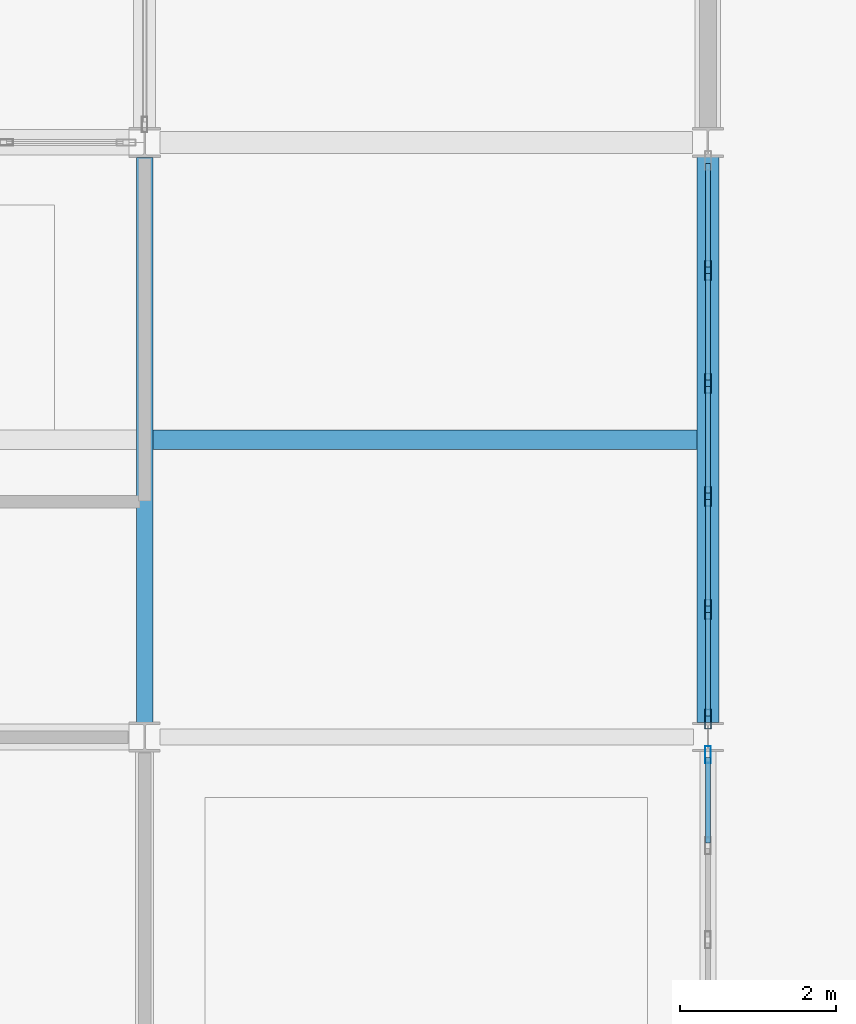
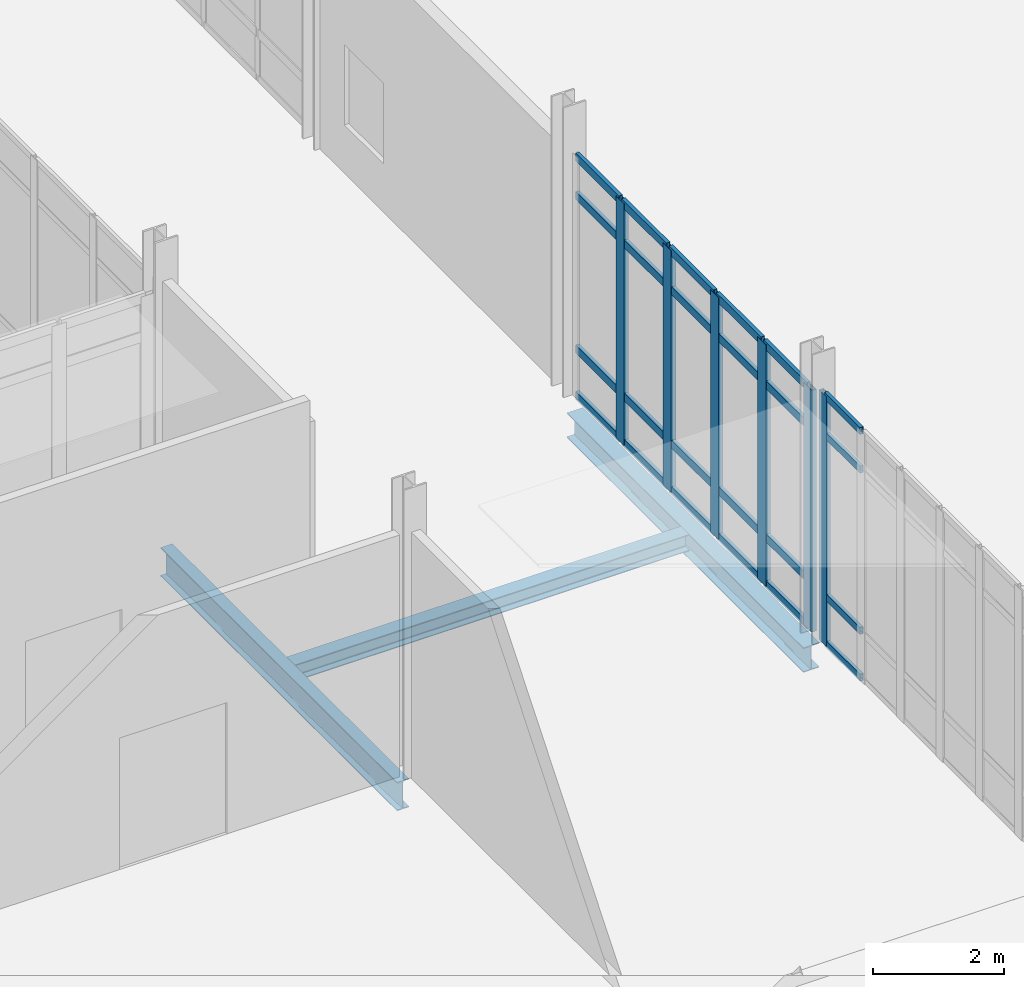
# One storey, part 65 of 229: 30 members, 3 beams, 2 elements without a shape of their own.
"""IFC4 building model written with IfcOpenShell, lengths in metres."""

import ifcopenshell
import ifcopenshell.guid

model = None  # the IFC model being written
_history = None  # IfcOwnerHistory: only IFC2X3 demands one
_inside = {}  # id of a spatial element -> (the spatial element, [elements in it])
_under = {}  # id of a project, library or spatial element -> (it, [spatial elements below it])
_declared = {}  # id of a project -> (the project, [libraries it declares])
_typed = {}  # id of a type object -> (the type object, [elements of that type])
_made_of = {}  # id of a material, layer set ... -> (it, [elements and type objects made of it])


def new_model(schema):
    """Start an empty IFC model of exactly this schema.

    Asked for "IFC4X3", IfcOpenShell would pick the latest addendum, in which some entities
    have other attributes; the version numbers below select the first issue.
    IFC2X3 requires an IfcOwnerHistory on every rooted entity: one is made here for all.
    """
    global model, _history
    if schema == "IFC4X3":
        model = ifcopenshell.file(schema_version=(4, 3, 0, 0))
    else:
        model = ifcopenshell.file(schema=schema)
    _inside.clear()
    _under.clear()
    _declared.clear()
    _typed.clear()
    _made_of.clear()
    _history = None
    if model.schema == "IFC2X3":
        org = make("IfcOrganization", Name="unknown")
        user = make(
            "IfcPersonAndOrganization",
            ThePerson=make("IfcPerson", FamilyName="unknown"),
            TheOrganization=org,
        )
        app = make(
            "IfcApplication",
            ApplicationDeveloper=org,
            Version="unknown",
            ApplicationFullName="unknown",
            ApplicationIdentifier="unknown",
        )
        _history = make(
            "IfcOwnerHistory",
            OwningUser=user,
            OwningApplication=app,
            ChangeAction="ADDED",
            CreationDate=0,
        )
    return model


def make(cls, **values):
    """One entity of the class cls with the attributes given. An attribute that is None is left unset."""
    return model.create_entity(
        cls, **{name: value for name, value in values.items() if value is not None}
    )


def rooted(cls, **values):
    """An entity with a GlobalId (a new one), such as an element, a storey or a relation."""
    return make(cls, GlobalId=ifcopenshell.guid.new(), OwnerHistory=_history, **values)


def si_unit(unit_type, name, prefix=None):
    """IfcSIUnit, for example si_unit("LENGTHUNIT", "METRE", prefix="MILLI")."""
    return make("IfcSIUnit", UnitType=unit_type, Prefix=prefix, Name=name)


def assignment(units):
    """IfcUnitAssignment: the units of a project."""
    return None if units is None else make("IfcUnitAssignment", Units=units)


def point(xyz):
    """IfcCartesianPoint."""
    return None if xyz is None else make("IfcCartesianPoint", Coordinates=xyz)


def direction(xyz):
    """IfcDirection."""
    return None if xyz is None else make("IfcDirection", DirectionRatios=xyz)


def frame(location, z_axis=None, x_axis=None):
    """IfcAxis2Placement3D, a coordinate frame: its origin and axes. An axis left out is left unset."""
    return make(
        "IfcAxis2Placement3D",
        Location=point(location),
        Axis=direction(z_axis),
        RefDirection=direction(x_axis),
    )


def frame_2d(location, x_axis=None):
    """IfcAxis2Placement2D, a coordinate frame in the plane: its origin and x axis."""
    return make(
        "IfcAxis2Placement2D", Location=point(location), RefDirection=direction(x_axis)
    )


def origin():
    """The frame at (0, 0, 0) with its axes left unset."""
    return frame((0.0, 0.0, 0.0))


def origin_2d():
    """The frame at (0, 0) in the plane with its x axis left unset."""
    return frame_2d((0.0, 0.0))


def place(relative_to, where):
    """IfcLocalPlacement: puts the frame where relative to a parent placement (None: the world)."""
    return make(
        "IfcLocalPlacement", PlacementRelTo=relative_to, RelativePlacement=where
    )


def context(
    kind, dimensions, precision=None, world=None, true_north=None, identifier=None
):
    """IfcGeometricRepresentationContext, for example the 3D "Model" context."""
    return make(
        "IfcGeometricRepresentationContext",
        ContextIdentifier=identifier,
        ContextType=kind,
        CoordinateSpaceDimension=dimensions,
        Precision=precision,
        WorldCoordinateSystem=world,
        TrueNorth=true_north,
    )


def subcontext(parent, identifier, kind, view, scale=None):
    """IfcGeometricRepresentationSubContext, for example "Body" below "Model"."""
    return make(
        "IfcGeometricRepresentationSubContext",
        ContextIdentifier=identifier,
        ContextType=kind,
        ParentContext=parent,
        TargetScale=scale,
        TargetView=view,
    )


def project(units=None, contexts=None):
    """IfcProject with its units and contexts."""
    return rooted(
        "IfcProject",
        Name="project",
        RepresentationContexts=contexts,
        UnitsInContext=assignment(units),
    )


def spatial(cls, under=None, at=None, **own):
    """A site, building, storey or space (cls), placed at a placement, below another one or the project."""
    s = rooted(cls, ObjectPlacement=at, **own)
    if under is not None:
        _under.setdefault(under.id(), (under, []))[1].append(s)
    return s


def profile(cls, at=None, kind="AREA", **sizes):
    """A parametric profile (cls). Its sizes go by their IFC names, for example OverallWidth=200.0."""
    return make(cls, ProfileType=kind, Position=at, **sizes)


def hollow_rectangle(**sizes):
    """IfcRectangleHollowProfileDef."""
    return profile("IfcRectangleHollowProfileDef", **sizes)


def i_section(**sizes):
    """IfcIShapeProfileDef."""
    return profile("IfcIShapeProfileDef", **sizes)


def extrude(swept, where, along, depth):
    """IfcExtrudedAreaSolid: the profile swept, set in the frame where, extruded along a direction by depth."""
    return make(
        "IfcExtrudedAreaSolid",
        SweptArea=swept,
        Position=where,
        ExtrudedDirection=direction(along),
        Depth=depth,
    )


def shape(context_of_items, identifier, shape_type, items):
    """IfcShapeRepresentation: the items that make up one representation, for example the "Body"."""
    return make(
        "IfcShapeRepresentation",
        ContextOfItems=context_of_items,
        RepresentationIdentifier=identifier,
        RepresentationType=shape_type,
        Items=items,
    )


def material(Name=None, Category=None):
    """IfcMaterial."""
    return make("IfcMaterial", Name=Name, Category=Category)


def layer(
    of_material, thickness, ventilated=None, Name=None, Category=None, Priority=None
):
    """IfcMaterialLayer: one layer of a wall or slab, of a material (None: an air gap)."""
    return make(
        "IfcMaterialLayer",
        Material=of_material,
        LayerThickness=thickness,
        IsVentilated=ventilated,
        Name=Name,
        Category=Category,
        Priority=Priority,
    )


def layer_set(layers, Name=None):
    """IfcMaterialLayerSet."""
    return make("IfcMaterialLayerSet", MaterialLayers=layers, LayerSetName=Name)


def material_profile(
    of_material, cross_section, Name=None, Category=None, Priority=None
):
    """IfcMaterialProfile: a cross section and its material."""
    return make(
        "IfcMaterialProfile",
        Name=Name,
        Material=of_material,
        Profile=cross_section,
        Priority=Priority,
        Category=Category,
    )


def profile_set(profiles, Name=None, composite=None):
    """IfcMaterialProfileSet."""
    return make(
        "IfcMaterialProfileSet",
        Name=Name,
        MaterialProfiles=profiles,
        CompositeProfile=composite,
    )


def made_of(thing, what):
    """Note that an element or type object is made of a material, layer set ...; save() writes the relation."""
    if what is not None:
        _made_of.setdefault(what.id(), (what, []))[1].append(thing)
    return thing


def type_object(cls, material=None, **own):
    """A type object (cls), such as IfcWallType, which elements share."""
    return made_of(rooted(cls, **own), material)


def element(
    cls,
    number,
    at=None,
    inside=None,
    cuts=None,
    type_object=None,
    material=None,
    context=None,
    identifier="Body",
    shape_type=None,
    held_by="IfcProductDefinitionShape",
    body=None,
    shapes=None,
    **own,
):
    """One element of the class cls, such as IfcWall. Its Tag is "e" and its number.

    at: its placement. inside: the storey or other place that contains it. cuts: it is an
    opening in that element (IfcRelVoidsElement). A single representation is given by context,
    identifier, shape_type and body (its items); several are given by shapes. held_by: the class
    of the entity that holds the representations. save() writes the other relations.
    """
    e = rooted(cls, Tag="e%d" % number, ObjectPlacement=at, **own)
    if body is not None:
        shapes = [shape(context, identifier, shape_type, body)]
    if shapes is not None:
        e.Representation = make(held_by, Representations=shapes)
    if inside is not None:
        _inside.setdefault(inside.id(), (inside, []))[1].append(e)
    if cuts is not None:
        rooted(
            "IfcRelVoidsElement", RelatingBuildingElement=cuts, RelatedOpeningElement=e
        )
    if type_object is not None:
        _typed.setdefault(type_object.id(), (type_object, []))[1].append(e)
    return made_of(e, material)


def aggregate(whole, parts):
    """IfcRelAggregates: a whole, such as a stair, and the parts it consists of."""
    return rooted("IfcRelAggregates", RelatingObject=whole, RelatedObjects=parts)


def save(model, path):
    """Write the relations noted so far, then the file.

    IfcRelAggregates (storeys below a building ...), IfcRelContainedInSpatialStructure (elements
    in a storey), IfcRelDefinesByType, IfcRelAssociatesMaterial and IfcRelDeclares: one each for
    every whole, place, type object, material and project.
    """
    for whole, parts in _under.values():
        aggregate(whole, parts)
    for where, things in _inside.values():
        rooted(
            "IfcRelContainedInSpatialStructure",
            RelatedElements=things,
            RelatingStructure=where,
        )
    for kind, things in _typed.values():
        rooted("IfcRelDefinesByType", RelatedObjects=things, RelatingType=kind)
    for what, things in _made_of.values():
        rooted("IfcRelAssociatesMaterial", RelatedObjects=things, RelatingMaterial=what)
    for by, libraries in _declared.values():
        rooted("IfcRelDeclares", RelatingContext=by, RelatedDefinitions=libraries)
    model.write(path)


model = new_model("IFC4")

# Units and contexts
model_context = context("Model", 3, precision=1e-05, world=origin(), true_north=direction((0.0, 1.0)))
body_context = subcontext(model_context, "Body", "Model", "MODEL_VIEW")
ifc_project = project(units=[si_unit("LENGTHUNIT", "METRE"), si_unit("AREAUNIT", "SQUARE_METRE"), si_unit("VOLUMEUNIT", "CUBIC_METRE"), si_unit("PLANEANGLEUNIT", "RADIAN"), si_unit("MASSUNIT", "GRAM", prefix="KILO")], contexts=[model_context])

# Site, building, storey
site_placement = place(None, origin())
site = spatial("IfcSite", under=ifc_project, at=site_placement, CompositionType="ELEMENT")
building_placement = place(site_placement, origin())
building = spatial("IfcBuilding", under=site, at=building_placement, Name="Calvrana Isthmian Art Gallery", CompositionType="ELEMENT")
storey_placement = place(building_placement, origin())
storey = spatial("IfcBuildingStorey", under=building, at=storey_placement, Name="L00", CompositionType="ELEMENT", Elevation=0.0)

# Beams
ifc_material_1 = material(Name="Steel ASTM A992 Gr 50", Category="steel")
ifc_material_profile_1 = material_profile(ifc_material_1, i_section(OverallWidth=0.279052734375, OverallDepth=0.4619140625, WebThickness=0.0107421875, FlangeThickness=0.017333984375, FilletRadius=0.02001953125, at=origin_2d()), Name="W18X76")
ifc_profile_set_1 = profile_set([ifc_material_profile_1], Name="Steel ASTM A992 Gr 50")
beam_type_1 = type_object("IfcBeamType", Name="BM-G-W18X76", PredefinedType="BEAM", material=ifc_profile_set_1)
beam_1_placement = place(storey_placement, frame((120.0, 54.58642578125, -0.535888671875), z_axis=(0.0, 1.0, 0.0), x_axis=(-1.0, 0.0, 0.0)))
element("IfcBeam", 1, at=beam_1_placement, inside=storey, type_object=beam_type_1, Name="Girder Y L00 16/H-I", PredefinedType="BEAM", context=body_context, shape_type="SweptSolid", body=[
    extrude(i_section(OverallWidth=0.279052734375, OverallDepth=0.4619140625, WebThickness=0.0107421875, FlangeThickness=0.017333984375, FilletRadius=0.02001953125, at=origin_2d()), origin(), (0.0, 0.0, 1.0), 7.2255859375),
])
ifc_material_profile_2 = material_profile(ifc_material_1, i_section(OverallWidth=0.208984375, OverallDepth=0.532958984375, WebThickness=0.01025390625, FlangeThickness=0.015625, FilletRadius=0.02099609375, at=origin_2d()), Name="W21X62")
ifc_profile_set_2 = profile_set([ifc_material_profile_2], Name="Steel ASTM A992 Gr 50")
beam_type_2 = type_object("IfcBeamType", Name="BM-G-W21X62", PredefinedType="BEAM", material=ifc_profile_set_2)
beam_2_placement = place(storey_placement, frame((112.800048828125, 54.587890625, -0.571533203125), z_axis=(0.0, 1.0, 0.0), x_axis=(-1.0, 0.0, 0.0)))
element("IfcBeam", 2, at=beam_2_placement, inside=storey, type_object=beam_type_2, Name="Girder Y L00 15/H-I", PredefinedType="BEAM", context=body_context, shape_type="SweptSolid", body=[
    extrude(i_section(OverallWidth=0.208984375, OverallDepth=0.532958984375, WebThickness=0.01025390625, FlangeThickness=0.015625, FilletRadius=0.02099609375, at=origin_2d()), origin(), (0.0, 0.0, 1.0), 7.2216796875),
])
ifc_material_profile_3 = material_profile(ifc_material_1, i_section(OverallWidth=0.25390625, OverallDepth=0.306884765625, WebThickness=0.0087890625, FlangeThickness=0.0146484375, FilletRadius=0.01611328125, at=origin_2d()), Name="W12X53")
ifc_profile_set_3 = profile_set([ifc_material_profile_3], Name="Steel ASTM A992 Gr 50")
beam_type_3 = type_object("IfcBeamType", Name="BM-J-W12X53", PredefinedType="JOIST", material=ifc_profile_set_3)
beam_3_placement = place(storey_placement, frame((112.904541015625, 58.199951171875, -0.45849609375), z_axis=(1.0, 0.0, 0.0), x_axis=(0.0, 1.0, 0.0)))
element("IfcBeam", 3, at=beam_3_placement, inside=storey, type_object=beam_type_3, Name="Composite joist L00 bay 14-07", PredefinedType="JOIST", context=body_context, shape_type="SweptSolid", body=[
    extrude(i_section(OverallWidth=0.25390625, OverallDepth=0.306884765625, WebThickness=0.0087890625, FlangeThickness=0.0146484375, FilletRadius=0.01611328125, at=origin_2d()), origin(), (0.0, 0.0, 1.0), 6.9560546875),
])

# Curtain wall, member
ifc_material_2 = material(Name="Anodized bronze aluminium 6063-T6", Category="aluminium")
ifc_layer_1 = layer(ifc_material_2, 0.179931640625, Name="Anodized bronze aluminium 6063-T6")
ifc_layer_set_1 = layer_set([ifc_layer_1], Name="Anodized bronze aluminium 6063-T6")
curtain_wall_type_1 = type_object("IfcCurtainWallType", Name="CW-STICK-072X47", PredefinedType="NOTDEFINED", material=ifc_layer_set_1)
curtain_wall_1_placement = place(storey_placement, origin())
curtain_wall_1 = element("IfcCurtainWall", 4, at=curtain_wall_1_placement, inside=storey, type_object=curtain_wall_type_1, Name="Curtain wall CW-076", PredefinedType="NOTDEFINED")
ifc_material_profile_4 = material_profile(ifc_material_2, hollow_rectangle(XDim=0.074951171875, YDim=0.219970703125, WallThickness=0.0048828125, at=origin_2d()), Name="CWM75X220")
ifc_profile_set_4 = profile_set([ifc_material_profile_4], Name="Anodized bronze aluminium 6063-T6")
member_type_1 = type_object("IfcMemberType", Name="CWM-CWM75X220", PredefinedType="MULLION", material=ifc_profile_set_4)
member_1_placement = place(storey_placement, frame((120.0, 54.174560546875, 0.0), z_axis=(0.0, 0.0, 1.0), x_axis=(1.0, 0.0, 0.0)))
member_1 = element("IfcMember", 5, at=member_1_placement, type_object=member_type_1, Name="CW-076 mullion 1", PredefinedType="MULLION", context=body_context, shape_type="SweptSolid", body=[
    extrude(hollow_rectangle(XDim=0.074951171875, YDim=0.219970703125, WallThickness=0.0048828125, at=origin_2d()), origin(), (0.0, 0.0, 1.0), 4.657958984375),
])

# Curtain wall, members
ifc_layer_2 = layer(ifc_material_2, 0.179931640625, Name="Anodized bronze aluminium 6063-T6")
ifc_layer_set_2 = layer_set([ifc_layer_2], Name="Anodized bronze aluminium 6063-T6")
curtain_wall_type_2 = type_object("IfcCurtainWallType", Name="CW-STICK-072X45", PredefinedType="NOTDEFINED", material=ifc_layer_set_2)
curtain_wall_2_placement = place(storey_placement, origin())
curtain_wall_2 = element("IfcCurtainWall", 6, at=curtain_wall_2_placement, inside=storey, type_object=curtain_wall_type_2, Name="Curtain wall CW-077", PredefinedType="NOTDEFINED")
ifc_material_profile_5 = material_profile(ifc_material_2, hollow_rectangle(XDim=0.080078125, YDim=0.25, WallThickness=0.005615234375, at=origin_2d()), Name="CWM80X250")
ifc_profile_set_5 = profile_set([ifc_material_profile_5], Name="Anodized bronze aluminium 6063-T6")
member_type_2 = type_object("IfcMemberType", Name="CWM-CWM80X250", PredefinedType="MULLION", material=ifc_profile_set_5)
member_2_placement = place(storey_placement, frame((120.0, 60.365234375, 0.0), z_axis=(0.0, 0.0, 1.0), x_axis=(1.0, 0.0, 0.0)))
member_2 = element("IfcMember", 7, at=member_2_placement, type_object=member_type_2, Name="CW-077 mullion 2", PredefinedType="MULLION", context=body_context, shape_type="SweptSolid", body=[
    extrude(hollow_rectangle(XDim=0.080078125, YDim=0.25, WallThickness=0.005615234375, at=origin_2d()), origin(), (0.0, 0.0, 1.0), 4.508056640625),
])
member_3_placement = place(storey_placement, frame((120.0, 58.9208984375, 0.0), z_axis=(0.0, 0.0, 1.0), x_axis=(1.0, 0.0, 0.0)))
member_3 = element("IfcMember", 8, at=member_3_placement, type_object=member_type_2, Name="CW-077 mullion 3", PredefinedType="MULLION", context=body_context, shape_type="SweptSolid", body=[
    extrude(hollow_rectangle(XDim=0.080078125, YDim=0.25, WallThickness=0.005615234375, at=origin_2d()), origin(), (0.0, 0.0, 1.0), 4.508056640625),
])
member_4_placement = place(storey_placement, frame((120.0, 57.4765625, 0.0), z_axis=(0.0, 0.0, 1.0), x_axis=(1.0, 0.0, 0.0)))
member_4 = element("IfcMember", 9, at=member_4_placement, type_object=member_type_2, Name="CW-077 mullion 4", PredefinedType="MULLION", context=body_context, shape_type="SweptSolid", body=[
    extrude(hollow_rectangle(XDim=0.080078125, YDim=0.25, WallThickness=0.005615234375, at=origin_2d()), origin(), (0.0, 0.0, 1.0), 4.508056640625),
])
member_5_placement = place(storey_placement, frame((120.0, 56.0322265625, 0.0), z_axis=(0.0, 0.0, 1.0), x_axis=(1.0, 0.0, 0.0)))
member_5 = element("IfcMember", 10, at=member_5_placement, type_object=member_type_2, Name="CW-077 mullion 5", PredefinedType="MULLION", context=body_context, shape_type="SweptSolid", body=[
    extrude(hollow_rectangle(XDim=0.080078125, YDim=0.25, WallThickness=0.005615234375, at=origin_2d()), origin(), (0.0, 0.0, 1.0), 4.508056640625),
])
member_6_placement = place(storey_placement, frame((120.0, 54.6279296875, 0.0), z_axis=(0.0, 0.0, 1.0), x_axis=(1.0, 0.0, 0.0)))
member_6 = element("IfcMember", 11, at=member_6_placement, type_object=member_type_2, Name="CW-077 mullion 6", PredefinedType="MULLION", context=body_context, shape_type="SweptSolid", body=[
    extrude(hollow_rectangle(XDim=0.080078125, YDim=0.25, WallThickness=0.005615234375, at=origin_2d()), origin(), (0.0, 0.0, 1.0), 4.508056640625),
])

# Member
ifc_material_profile_6 = material_profile(ifc_material_2, hollow_rectangle(XDim=0.06005859375, YDim=0.1298828125, WallThickness=0.00390625, at=origin_2d()), Name="CWT60X130")
ifc_profile_set_6 = profile_set([ifc_material_profile_6], Name="Anodized bronze aluminium 6063-T6")
member_type_3 = type_object("IfcMemberType", Name="CWT-CWT60X130", PredefinedType="USERDEFINED", material=ifc_profile_set_6)
member_7_placement = place(storey_placement, frame((120.0, 54.136962890625, 0.030029296875), z_axis=(0.0, -1.0, 0.0), x_axis=(1.0, 0.0, 0.0)))
member_7 = element("IfcMember", 12, at=member_7_placement, type_object=member_type_3, Name="CW-076 transom 1.1", ObjectType="TRANSOM", PredefinedType="USERDEFINED", context=body_context, shape_type="SweptSolid", body=[
    extrude(hollow_rectangle(XDim=0.06005859375, YDim=0.1298828125, WallThickness=0.00390625, at=origin_2d()), origin(), (0.0, 0.0, 1.0), 1.089599609375),
])

member_8_placement = place(storey_placement, frame((120.0, 54.136962890625, 0.89990234375), z_axis=(0.0, -1.0, 0.0), x_axis=(1.0, 0.0, 0.0)))
member_8 = element("IfcMember", 13, at=member_8_placement, type_object=member_type_3, Name="CW-076 transom 1.2", ObjectType="TRANSOM", PredefinedType="USERDEFINED", context=body_context, shape_type="SweptSolid", body=[
    extrude(hollow_rectangle(XDim=0.06005859375, YDim=0.1298828125, WallThickness=0.00390625, at=origin_2d()), origin(), (0.0, 0.0, 1.0), 1.089599609375),
])

member_9_placement = place(storey_placement, frame((120.0, 54.136962890625, 3.907958984375), z_axis=(0.0, -1.0, 0.0), x_axis=(1.0, 0.0, 0.0)))
member_9 = element("IfcMember", 14, at=member_9_placement, type_object=member_type_3, Name="CW-076 transom 1.3", ObjectType="TRANSOM", PredefinedType="USERDEFINED", context=body_context, shape_type="SweptSolid", body=[
    extrude(hollow_rectangle(XDim=0.06005859375, YDim=0.1298828125, WallThickness=0.00390625, at=origin_2d()), origin(), (0.0, 0.0, 1.0), 1.089599609375),
])

member_10_placement = place(storey_placement, frame((120.0, 54.136962890625, 4.6279296875), z_axis=(0.0, -1.0, 0.0), x_axis=(1.0, 0.0, 0.0)))
member_10 = element("IfcMember", 15, at=member_10_placement, type_object=member_type_3, Name="CW-076 transom 1.4", ObjectType="TRANSOM", PredefinedType="USERDEFINED", context=body_context, shape_type="SweptSolid", body=[
    extrude(hollow_rectangle(XDim=0.06005859375, YDim=0.1298828125, WallThickness=0.00390625, at=origin_2d()), origin(), (0.0, 0.0, 1.0), 1.089599609375),
])

aggregate(curtain_wall_1, [member_1, member_7, member_8, member_9, member_10])

ifc_material_profile_7 = material_profile(ifc_material_2, hollow_rectangle(XDim=0.06494140625, YDim=0.14990234375, WallThickness=0.00390625, at=origin_2d()), Name="CWT65X150")
ifc_profile_set_7 = profile_set([ifc_material_profile_7], Name="Anodized bronze aluminium 6063-T6")
member_type_4 = type_object("IfcMemberType", Name="CWT-CWT65X150", PredefinedType="USERDEFINED", material=ifc_profile_set_7)
member_11_placement = place(storey_placement, frame((120.0, 61.7294921875, 0.032470703125), z_axis=(0.0, -1.0, 0.0), x_axis=(1.0, 0.0, 0.0)))
member_11 = element("IfcMember", 16, at=member_11_placement, type_object=member_type_4, Name="CW-077 transom 1.1", ObjectType="TRANSOM", PredefinedType="USERDEFINED", context=body_context, shape_type="SweptSolid", body=[
    extrude(hollow_rectangle(XDim=0.06494140625, YDim=0.14990234375, WallThickness=0.00390625, at=origin_2d()), origin(), (0.0, 0.0, 1.0), 1.32421875),
])

member_12_placement = place(storey_placement, frame((120.0, 61.7294921875, 0.89990234375), z_axis=(0.0, -1.0, 0.0), x_axis=(1.0, 0.0, 0.0)))
member_12 = element("IfcMember", 17, at=member_12_placement, type_object=member_type_4, Name="CW-077 transom 1.2", ObjectType="TRANSOM", PredefinedType="USERDEFINED", context=body_context, shape_type="SweptSolid", body=[
    extrude(hollow_rectangle(XDim=0.06494140625, YDim=0.14990234375, WallThickness=0.00390625, at=origin_2d()), origin(), (0.0, 0.0, 1.0), 1.32421875),
])

member_13_placement = place(storey_placement, frame((120.0, 61.7294921875, 3.758056640625), z_axis=(0.0, -1.0, 0.0), x_axis=(1.0, 0.0, 0.0)))
member_13 = element("IfcMember", 18, at=member_13_placement, type_object=member_type_4, Name="CW-077 transom 1.3", ObjectType="TRANSOM", PredefinedType="USERDEFINED", context=body_context, shape_type="SweptSolid", body=[
    extrude(hollow_rectangle(XDim=0.06494140625, YDim=0.14990234375, WallThickness=0.00390625, at=origin_2d()), origin(), (0.0, 0.0, 1.0), 1.32421875),
])

member_14_placement = place(storey_placement, frame((120.0, 61.7294921875, 4.4755859375), z_axis=(0.0, -1.0, 0.0), x_axis=(1.0, 0.0, 0.0)))
member_14 = element("IfcMember", 19, at=member_14_placement, type_object=member_type_4, Name="CW-077 transom 1.4", ObjectType="TRANSOM", PredefinedType="USERDEFINED", context=body_context, shape_type="SweptSolid", body=[
    extrude(hollow_rectangle(XDim=0.06494140625, YDim=0.14990234375, WallThickness=0.00390625, at=origin_2d()), origin(), (0.0, 0.0, 1.0), 1.32421875),
])

member_15_placement = place(storey_placement, frame((120.0, 60.3251953125, 0.032470703125), z_axis=(0.0, -1.0, 0.0), x_axis=(1.0, 0.0, 0.0)))
member_15 = element("IfcMember", 20, at=member_15_placement, type_object=member_type_4, Name="CW-077 transom 2.1", ObjectType="TRANSOM", PredefinedType="USERDEFINED", context=body_context, shape_type="SweptSolid", body=[
    extrude(hollow_rectangle(XDim=0.06494140625, YDim=0.14990234375, WallThickness=0.00390625, at=origin_2d()), origin(), (0.0, 0.0, 1.0), 1.3642578125),
])

member_16_placement = place(storey_placement, frame((120.0, 60.3251953125, 0.89990234375), z_axis=(0.0, -1.0, 0.0), x_axis=(1.0, 0.0, 0.0)))
member_16 = element("IfcMember", 21, at=member_16_placement, type_object=member_type_4, Name="CW-077 transom 2.2", ObjectType="TRANSOM", PredefinedType="USERDEFINED", context=body_context, shape_type="SweptSolid", body=[
    extrude(hollow_rectangle(XDim=0.06494140625, YDim=0.14990234375, WallThickness=0.00390625, at=origin_2d()), origin(), (0.0, 0.0, 1.0), 1.3642578125),
])

member_17_placement = place(storey_placement, frame((120.0, 60.3251953125, 3.758056640625), z_axis=(0.0, -1.0, 0.0), x_axis=(1.0, 0.0, 0.0)))
member_17 = element("IfcMember", 22, at=member_17_placement, type_object=member_type_4, Name="CW-077 transom 2.3", ObjectType="TRANSOM", PredefinedType="USERDEFINED", context=body_context, shape_type="SweptSolid", body=[
    extrude(hollow_rectangle(XDim=0.06494140625, YDim=0.14990234375, WallThickness=0.00390625, at=origin_2d()), origin(), (0.0, 0.0, 1.0), 1.3642578125),
])

member_18_placement = place(storey_placement, frame((120.0, 60.3251953125, 4.4755859375), z_axis=(0.0, -1.0, 0.0), x_axis=(1.0, 0.0, 0.0)))
member_18 = element("IfcMember", 23, at=member_18_placement, type_object=member_type_4, Name="CW-077 transom 2.4", ObjectType="TRANSOM", PredefinedType="USERDEFINED", context=body_context, shape_type="SweptSolid", body=[
    extrude(hollow_rectangle(XDim=0.06494140625, YDim=0.14990234375, WallThickness=0.00390625, at=origin_2d()), origin(), (0.0, 0.0, 1.0), 1.3642578125),
])

member_19_placement = place(storey_placement, frame((120.0, 58.880859375, 0.032470703125), z_axis=(0.0, -1.0, 0.0), x_axis=(1.0, 0.0, 0.0)))
member_19 = element("IfcMember", 24, at=member_19_placement, type_object=member_type_4, Name="CW-077 transom 3.1", ObjectType="TRANSOM", PredefinedType="USERDEFINED", context=body_context, shape_type="SweptSolid", body=[
    extrude(hollow_rectangle(XDim=0.06494140625, YDim=0.14990234375, WallThickness=0.00390625, at=origin_2d()), origin(), (0.0, 0.0, 1.0), 1.3642578125),
])

member_20_placement = place(storey_placement, frame((120.0, 58.880859375, 0.89990234375), z_axis=(0.0, -1.0, 0.0), x_axis=(1.0, 0.0, 0.0)))
member_20 = element("IfcMember", 25, at=member_20_placement, type_object=member_type_4, Name="CW-077 transom 3.2", ObjectType="TRANSOM", PredefinedType="USERDEFINED", context=body_context, shape_type="SweptSolid", body=[
    extrude(hollow_rectangle(XDim=0.06494140625, YDim=0.14990234375, WallThickness=0.00390625, at=origin_2d()), origin(), (0.0, 0.0, 1.0), 1.3642578125),
])

member_21_placement = place(storey_placement, frame((120.0, 58.880859375, 3.758056640625), z_axis=(0.0, -1.0, 0.0), x_axis=(1.0, 0.0, 0.0)))
member_21 = element("IfcMember", 26, at=member_21_placement, type_object=member_type_4, Name="CW-077 transom 3.3", ObjectType="TRANSOM", PredefinedType="USERDEFINED", context=body_context, shape_type="SweptSolid", body=[
    extrude(hollow_rectangle(XDim=0.06494140625, YDim=0.14990234375, WallThickness=0.00390625, at=origin_2d()), origin(), (0.0, 0.0, 1.0), 1.3642578125),
])

member_22_placement = place(storey_placement, frame((120.0, 58.880859375, 4.4755859375), z_axis=(0.0, -1.0, 0.0), x_axis=(1.0, 0.0, 0.0)))
member_22 = element("IfcMember", 27, at=member_22_placement, type_object=member_type_4, Name="CW-077 transom 3.4", ObjectType="TRANSOM", PredefinedType="USERDEFINED", context=body_context, shape_type="SweptSolid", body=[
    extrude(hollow_rectangle(XDim=0.06494140625, YDim=0.14990234375, WallThickness=0.00390625, at=origin_2d()), origin(), (0.0, 0.0, 1.0), 1.3642578125),
])

member_23_placement = place(storey_placement, frame((120.0, 57.4365234375, 0.032470703125), z_axis=(0.0, -1.0, 0.0), x_axis=(1.0, 0.0, 0.0)))
member_23 = element("IfcMember", 28, at=member_23_placement, type_object=member_type_4, Name="CW-077 transom 4.1", ObjectType="TRANSOM", PredefinedType="USERDEFINED", context=body_context, shape_type="SweptSolid", body=[
    extrude(hollow_rectangle(XDim=0.06494140625, YDim=0.14990234375, WallThickness=0.00390625, at=origin_2d()), origin(), (0.0, 0.0, 1.0), 1.3642578125),
])

member_24_placement = place(storey_placement, frame((120.0, 57.4365234375, 0.89990234375), z_axis=(0.0, -1.0, 0.0), x_axis=(1.0, 0.0, 0.0)))
member_24 = element("IfcMember", 29, at=member_24_placement, type_object=member_type_4, Name="CW-077 transom 4.2", ObjectType="TRANSOM", PredefinedType="USERDEFINED", context=body_context, shape_type="SweptSolid", body=[
    extrude(hollow_rectangle(XDim=0.06494140625, YDim=0.14990234375, WallThickness=0.00390625, at=origin_2d()), origin(), (0.0, 0.0, 1.0), 1.3642578125),
])

member_25_placement = place(storey_placement, frame((120.0, 57.4365234375, 3.758056640625), z_axis=(0.0, -1.0, 0.0), x_axis=(1.0, 0.0, 0.0)))
member_25 = element("IfcMember", 30, at=member_25_placement, type_object=member_type_4, Name="CW-077 transom 4.3", ObjectType="TRANSOM", PredefinedType="USERDEFINED", context=body_context, shape_type="SweptSolid", body=[
    extrude(hollow_rectangle(XDim=0.06494140625, YDim=0.14990234375, WallThickness=0.00390625, at=origin_2d()), origin(), (0.0, 0.0, 1.0), 1.3642578125),
])

member_26_placement = place(storey_placement, frame((120.0, 57.4365234375, 4.4755859375), z_axis=(0.0, -1.0, 0.0), x_axis=(1.0, 0.0, 0.0)))
member_26 = element("IfcMember", 31, at=member_26_placement, type_object=member_type_4, Name="CW-077 transom 4.4", ObjectType="TRANSOM", PredefinedType="USERDEFINED", context=body_context, shape_type="SweptSolid", body=[
    extrude(hollow_rectangle(XDim=0.06494140625, YDim=0.14990234375, WallThickness=0.00390625, at=origin_2d()), origin(), (0.0, 0.0, 1.0), 1.3642578125),
])

member_27_placement = place(storey_placement, frame((120.0, 55.9921875, 0.032470703125), z_axis=(0.0, -1.0, 0.0), x_axis=(1.0, 0.0, 0.0)))
member_27 = element("IfcMember", 32, at=member_27_placement, type_object=member_type_4, Name="CW-077 transom 5.1", ObjectType="TRANSOM", PredefinedType="USERDEFINED", context=body_context, shape_type="SweptSolid", body=[
    extrude(hollow_rectangle(XDim=0.06494140625, YDim=0.14990234375, WallThickness=0.00390625, at=origin_2d()), origin(), (0.0, 0.0, 1.0), 1.32421875),
])

member_28_placement = place(storey_placement, frame((120.0, 55.9921875, 0.89990234375), z_axis=(0.0, -1.0, 0.0), x_axis=(1.0, 0.0, 0.0)))
member_28 = element("IfcMember", 33, at=member_28_placement, type_object=member_type_4, Name="CW-077 transom 5.2", ObjectType="TRANSOM", PredefinedType="USERDEFINED", context=body_context, shape_type="SweptSolid", body=[
    extrude(hollow_rectangle(XDim=0.06494140625, YDim=0.14990234375, WallThickness=0.00390625, at=origin_2d()), origin(), (0.0, 0.0, 1.0), 1.32421875),
])

member_29_placement = place(storey_placement, frame((120.0, 55.9921875, 3.758056640625), z_axis=(0.0, -1.0, 0.0), x_axis=(1.0, 0.0, 0.0)))
member_29 = element("IfcMember", 34, at=member_29_placement, type_object=member_type_4, Name="CW-077 transom 5.3", ObjectType="TRANSOM", PredefinedType="USERDEFINED", context=body_context, shape_type="SweptSolid", body=[
    extrude(hollow_rectangle(XDim=0.06494140625, YDim=0.14990234375, WallThickness=0.00390625, at=origin_2d()), origin(), (0.0, 0.0, 1.0), 1.32421875),
])

member_30_placement = place(storey_placement, frame((120.0, 55.9921875, 4.4755859375), z_axis=(0.0, -1.0, 0.0), x_axis=(1.0, 0.0, 0.0)))
member_30 = element("IfcMember", 35, at=member_30_placement, type_object=member_type_4, Name="CW-077 transom 5.4", ObjectType="TRANSOM", PredefinedType="USERDEFINED", context=body_context, shape_type="SweptSolid", body=[
    extrude(hollow_rectangle(XDim=0.06494140625, YDim=0.14990234375, WallThickness=0.00390625, at=origin_2d()), origin(), (0.0, 0.0, 1.0), 1.32421875),
])

aggregate(curtain_wall_2, [member_2, member_3, member_4, member_5, member_6, member_11, member_12, member_13, member_14, member_15, member_16, member_17, member_18, member_19, member_20, member_21, member_22, member_23, member_24, member_25, member_26, member_27, member_28, member_29, member_30])

save(model, "model.ifc")
